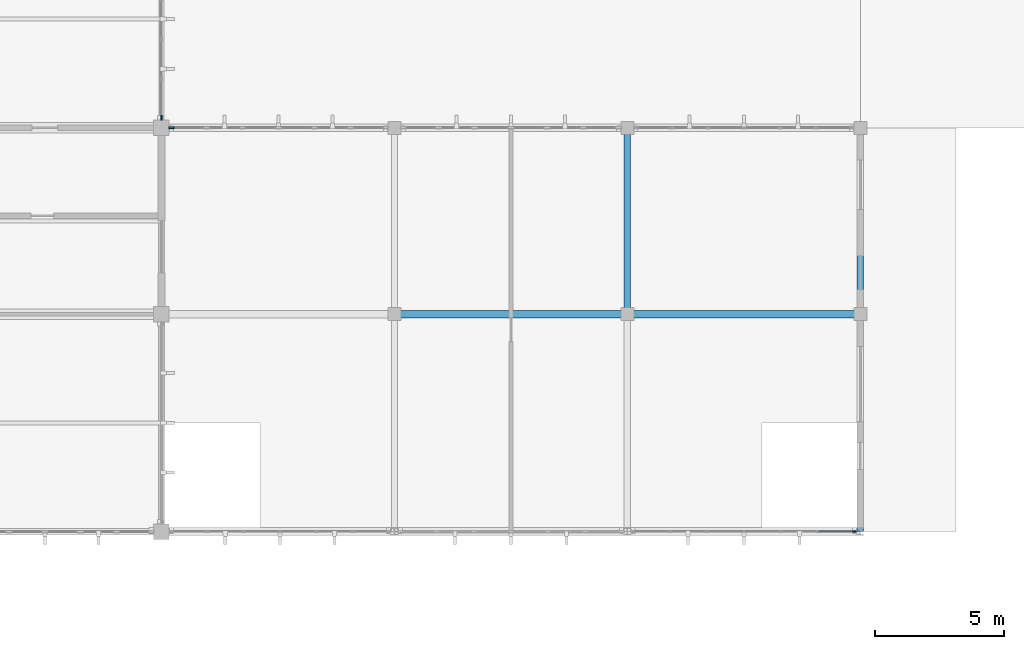
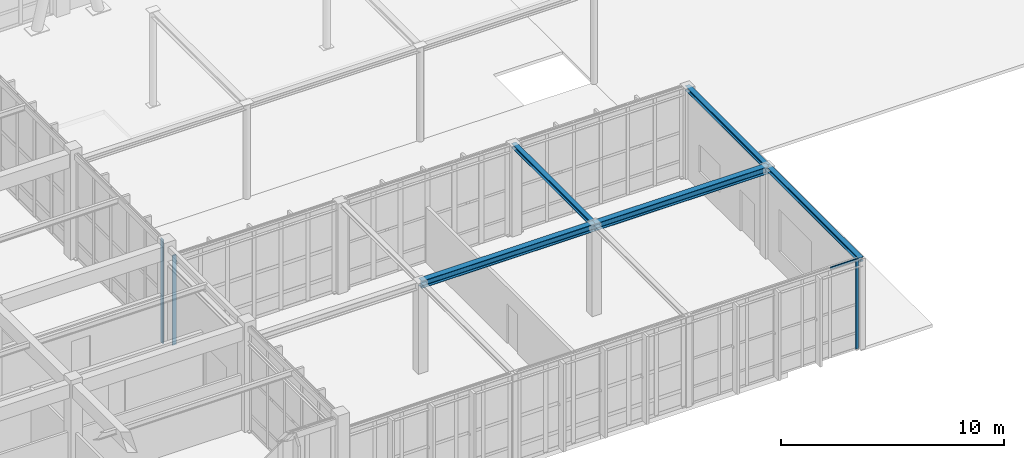
# One storey, part 30 of 110: 5 beams, 4 members, 3 elements without a shape of their own.
"""IFC4 building model written with IfcOpenShell, lengths in metres."""

from ifc_helpers import new_model, si_unit, direction, frame, origin, origin_2d, place, context, subcontext, project, spatial, rectangle, i_section, extrude, material, material_profile, profile_set, type_object, element, aggregate, save


model = new_model("IFC4")

# Units and contexts
model_context = context("Model", 3, precision=1e-05, world=origin(), true_north=direction((0.0, 1.0)))
body_context = subcontext(model_context, "Body", "Model", "MODEL_VIEW")
ifc_project = project(units=[si_unit("LENGTHUNIT", "METRE"), si_unit("AREAUNIT", "SQUARE_METRE"), si_unit("VOLUMEUNIT", "CUBIC_METRE"), si_unit("PLANEANGLEUNIT", "RADIAN"), si_unit("MASSUNIT", "GRAM", prefix="KILO")], contexts=[model_context])

# Site, building, storey
site_placement = place(None, origin())
site = spatial("IfcSite", under=ifc_project, at=site_placement, CompositionType="ELEMENT")
building_placement = place(site_placement, origin())
building = spatial("IfcBuilding", under=site, at=building_placement, Name="Tizgana Railside Sports Hall", CompositionType="ELEMENT")
storey_placement = place(building_placement, origin())
storey = spatial("IfcBuildingStorey", under=building, at=storey_placement, Name="L00", CompositionType="ELEMENT", Elevation=0.0)

# Curtain wall, member
ifc_material_1 = material(Name="Anodised aluminium and glass", Category="aluminium")
curtain_wall_type_1 = type_object("IfcCurtainWallType", Name="Unitised Curtain Wall Clinic 1200", PredefinedType="NOTDEFINED", material=ifc_material_1)
curtain_wall_1_placement = place(storey_placement, origin())
curtain_wall_1 = element("IfcCurtainWall", 1, at=curtain_wall_1_placement, inside=storey, type_object=curtain_wall_type_1, Name="L00 Curtain Wall CW-0156", PredefinedType="NOTDEFINED")
ifc_material_2 = material(Name="Anodised aluminium", Category="aluminium")
ifc_material_profile_1 = material_profile(ifc_material_2, rectangle(XDim=0.06005859375, YDim=0.139892578125, at=origin_2d()), Name="Mullion 60x140")
ifc_profile_set_1 = profile_set([ifc_material_profile_1], Name="Anodised aluminium")
member_type_1 = type_object("IfcMemberType", Name="Mullion 60x140", PredefinedType="MULLION", material=ifc_profile_set_1)
member_1_placement = place(storey_placement, frame((124.574951171875, 0.0, 0.044921875), z_axis=(0.0, 0.0, 1.0), x_axis=(0.0, -1.0, 0.0)))
member_1 = element("IfcMember", 2, at=member_1_placement, type_object=member_type_1, Name="CW-05 mullion 1", PredefinedType="MULLION", context=body_context, shape_type="SweptSolid", body=[
    extrude(rectangle(XDim=0.06005859375, YDim=0.139892578125, at=origin_2d()), origin(), (0.0, 0.0, 1.0), 4.9150390625),
])

curtain_wall_type_2 = type_object("IfcCurtainWallType", Name="Unitised Curtain Wall EastHall 1500", PredefinedType="NOTDEFINED", material=ifc_material_1)
curtain_wall_2_placement = place(storey_placement, origin())
curtain_wall_2 = element("IfcCurtainWall", 3, at=curtain_wall_2_placement, inside=storey, type_object=curtain_wall_type_2, Name="L00 Curtain Wall CW-0087", PredefinedType="NOTDEFINED")
ifc_material_profile_2 = material_profile(ifc_material_2, rectangle(XDim=0.06494140625, YDim=0.199951171875, at=origin_2d()), Name="Mullion 65x200")
ifc_profile_set_2 = profile_set([ifc_material_profile_2], Name="Anodised aluminium")
member_type_2 = type_object("IfcMemberType", Name="Mullion 65x200", PredefinedType="MULLION", material=ifc_profile_set_2)
member_2_placement = place(storey_placement, frame((97.800048828125, 15.987548828125, 0.044921875), z_axis=(0.0, 0.0, 1.0), x_axis=(1.0, 0.0, 0.0)))
member_2 = element("IfcMember", 4, at=member_2_placement, type_object=member_type_2, Name="CW-08 mullion 6", PredefinedType="MULLION", context=body_context, shape_type="SweptSolid", body=[
    extrude(rectangle(XDim=0.06494140625, YDim=0.199951171875, at=origin_2d()), origin(), (0.0, 0.0, 1.0), 5.705078125),
])
aggregate(curtain_wall_2, [member_2])

curtain_wall_type_3 = type_object("IfcCurtainWallType", Name="Unitised Curtain Wall Foyer 1300", PredefinedType="NOTDEFINED", material=ifc_material_1)
curtain_wall_3_placement = place(storey_placement, origin())
curtain_wall_3 = element("IfcCurtainWall", 5, at=curtain_wall_3_placement, inside=storey, type_object=curtain_wall_type_3, Name="L00 Curtain Wall CW-0153", PredefinedType="NOTDEFINED")
member_3_placement = place(storey_placement, frame((98.1875, 15.60009765625, 0.044921875), z_axis=(0.0, 0.0, 1.0), x_axis=(0.0, 1.0, 0.0)))
member_3 = element("IfcMember", 6, at=member_3_placement, type_object=member_type_2, Name="CW-02 mullion 1", PredefinedType="MULLION", context=body_context, shape_type="SweptSolid", body=[
    extrude(rectangle(XDim=0.06494140625, YDim=0.199951171875, at=origin_2d()), origin(), (0.0, 0.0, 1.0), 4.9150390625),
])
aggregate(curtain_wall_3, [member_3])

# Beams
ifc_material_3 = material(Name="Steel S355J2", Category="steel")
ifc_material_profile_3 = material_profile(ifc_material_3, i_section(OverallWidth=0.239990234375, OverallDepth=0.239990234375, WebThickness=0.010009765625, FlangeThickness=0.01708984375, FilletRadius=0.02099609375, at=origin_2d()), Name="HEB 240")
ifc_profile_set_3 = profile_set([ifc_material_profile_3], Name="Steel S355J2")
beam_type_1 = type_object("IfcBeamType", Name="Steel Beam HEB 240", PredefinedType="BEAM", material=ifc_profile_set_3)
beam_1_placement = place(storey_placement, frame((115.800048828125, 8.39990234375, 4.8359375), z_axis=(0.0, 1.0, 0.0), x_axis=(-1.0, 0.0, 0.0)))
element("IfcBeam", 7, at=beam_1_placement, inside=storey, type_object=beam_type_1, Name="L00 BEM-1339", PredefinedType="BEAM", context=body_context, shape_type="SweptSolid", body=[
    extrude(i_section(OverallWidth=0.239990234375, OverallDepth=0.239990234375, WebThickness=0.010009765625, FlangeThickness=0.01708984375, FilletRadius=0.02099609375, at=origin_2d()), origin(), (0.0, 0.0, 1.0), 7.2001953125),
])
beam_2_placement = place(storey_placement, frame((124.800048828125, 0.0, 4.8359375), z_axis=(0.0, 1.0, 0.0), x_axis=(-1.0, 0.0, 0.0)))
element("IfcBeam", 8, at=beam_2_placement, inside=storey, type_object=beam_type_1, Name="L00 BEM-1341", PredefinedType="BEAM", context=body_context, shape_type="SweptSolid", body=[
    extrude(i_section(OverallWidth=0.239990234375, OverallDepth=0.239990234375, WebThickness=0.010009765625, FlangeThickness=0.01708984375, FilletRadius=0.02099609375, at=origin_2d()), origin(), (0.0, 0.0, 1.0), 8.39990234375),
])
beam_3_placement = place(storey_placement, frame((124.800048828125, 8.39990234375, 4.8359375), z_axis=(0.0, 1.0, 0.0), x_axis=(-1.0, 0.0, 0.0)))
element("IfcBeam", 9, at=beam_3_placement, inside=storey, type_object=beam_type_1, Name="L00 BEM-1343", PredefinedType="BEAM", context=body_context, shape_type="SweptSolid", body=[
    extrude(i_section(OverallWidth=0.239990234375, OverallDepth=0.239990234375, WebThickness=0.010009765625, FlangeThickness=0.01708984375, FilletRadius=0.02099609375, at=origin_2d()), origin(), (0.0, 0.0, 1.0), 7.2001953125),
])
ifc_material_profile_4 = material_profile(ifc_material_3, i_section(OverallWidth=0.300048828125, OverallDepth=0.39990234375, WebThickness=0.013427734375, FlangeThickness=0.02392578125, FilletRadius=0.027099609375, at=origin_2d()), Name="HEB 400")
ifc_profile_set_4 = profile_set([ifc_material_profile_4], Name="Steel S355J2")
beam_type_2 = type_object("IfcBeamType", Name="Steel Beam HEB 400", PredefinedType="BEAM", material=ifc_profile_set_4)
for number, where, z_axis, x_axis, name in (
    (10, (106.800048828125, 8.39990234375, 4.756103515625), (1.0, 0.0, 0.0), (0.0, 1.0, 0.0), "L00 BEM-1353"),
    (11, (115.800048828125, 8.39990234375, 4.756103515625), (1.0, 0.0, 0.0), (0.0, 1.0, 0.0), "L00 BEM-1359"),
):
    element("IfcBeam", number, at=place(storey_placement, frame(where, z_axis=z_axis, x_axis=x_axis)), inside=storey, type_object=beam_type_2, Name=name, PredefinedType="BEAM", context=body_context, shape_type="SweptSolid", body=[
        extrude(i_section(OverallWidth=0.300048828125, OverallDepth=0.39990234375, WebThickness=0.013427734375, FlangeThickness=0.02392578125, FilletRadius=0.027099609375, at=origin_2d()), origin(), (0.0, 0.0, 1.0), 9.0),
    ])

# Member
ifc_material_profile_5 = material_profile(ifc_material_2, rectangle(XDim=0.06005859375, YDim=0.110107421875, at=origin_2d()), Name="Transom 60x110")
ifc_profile_set_5 = profile_set([ifc_material_profile_5], Name="Anodised aluminium")
member_type_3 = type_object("IfcMemberType", Name="Transom 60x110", PredefinedType="USERDEFINED", material=ifc_profile_set_5)
member_4_placement = place(storey_placement, frame((124.544921875, 0.0, 4.929931640625), z_axis=(-1.0, 0.0, 0.0), x_axis=(0.0, -1.0, 0.0)))
member_4 = element("IfcMember", 12, at=member_4_placement, type_object=member_type_3, Name="CW-05 transom 1.4", ObjectType="TRANSOM", PredefinedType="USERDEFINED", context=body_context, shape_type="SweptSolid", body=[
    extrude(rectangle(XDim=0.06005859375, YDim=0.110107421875, at=origin_2d()), origin(), (0.0, 0.0, 1.0), 1.344970703125),
])

aggregate(curtain_wall_1, [member_1, member_4])

save(model, "model.ifc")
